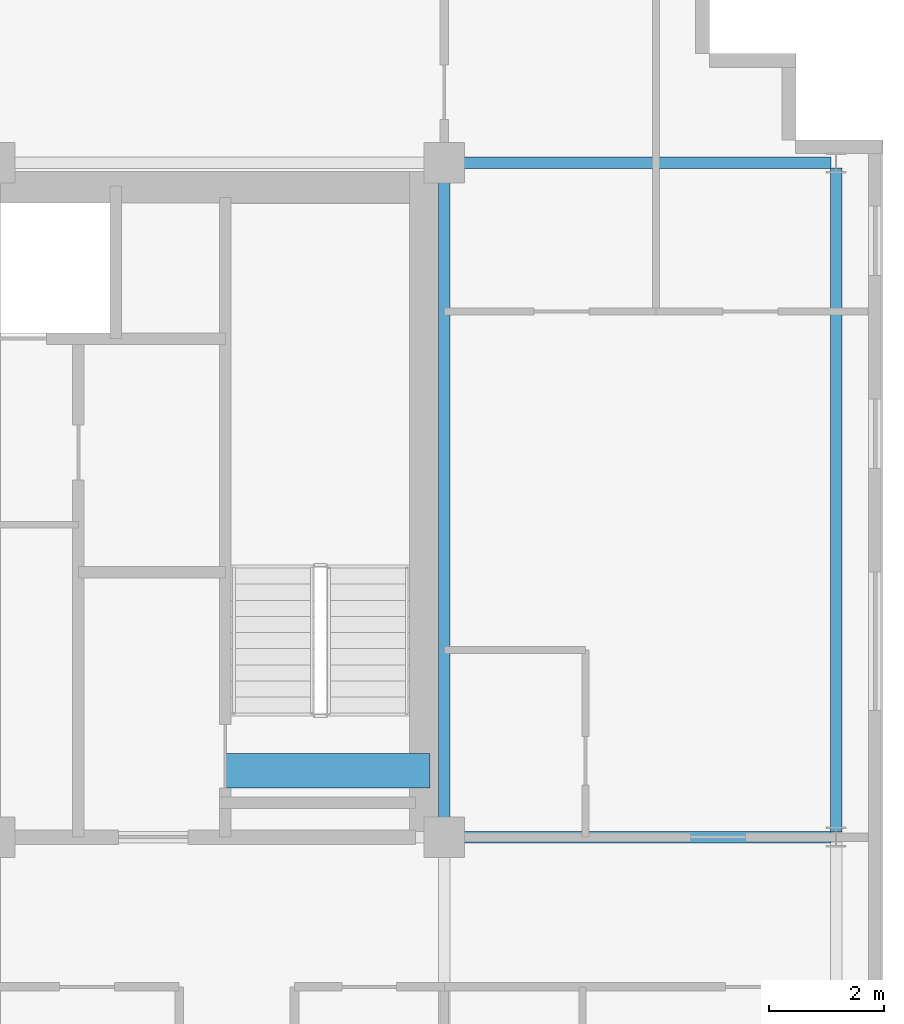
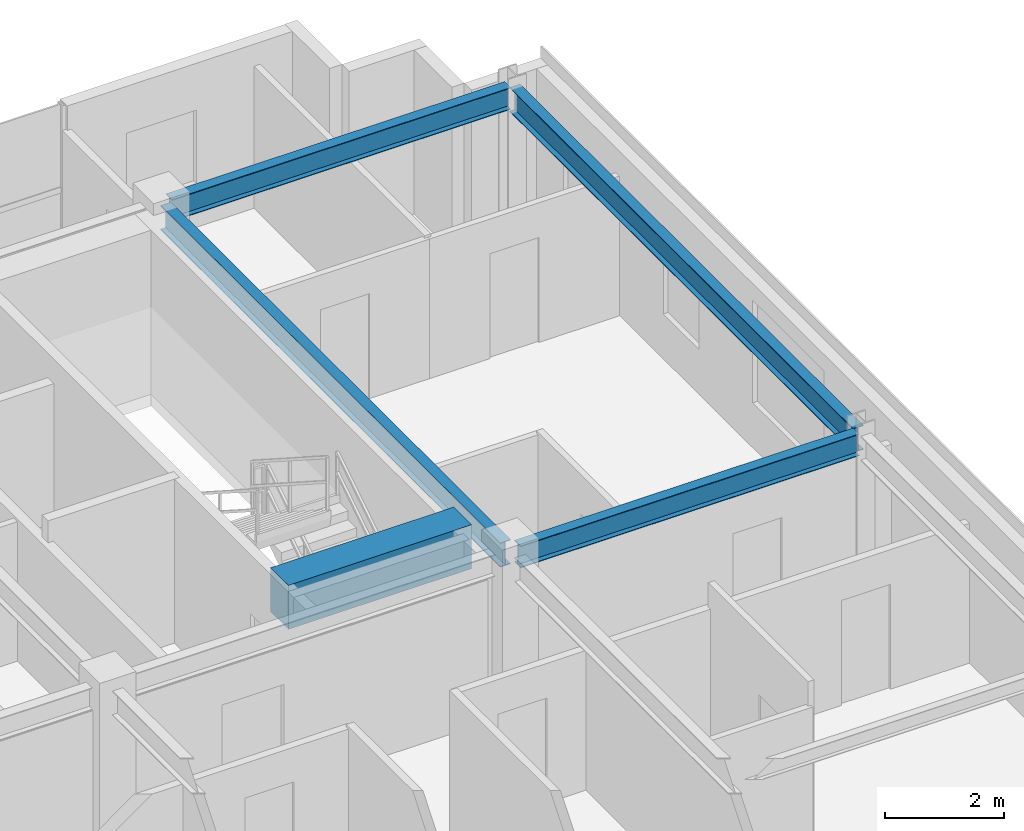
# One storey, part 13 of 23: 5 beams.
"""IFC4 building model written with IfcOpenShell, lengths in metres."""

from ifc_helpers import new_model, si_unit, direction, frame, origin, origin_2d, place, context, subcontext, project, spatial, rectangle, i_section, extrude, source, transform, mapped, material, material_profile, profile_set, type_object, element, save


model = new_model("IFC4")

# Units and contexts
model_context = context("Model", 3, precision=1e-05, world=origin(), true_north=direction((0.0, 1.0)))
body_context = subcontext(model_context, "Body", "Model", "MODEL_VIEW")
ifc_project = project(units=[si_unit("LENGTHUNIT", "METRE"), si_unit("AREAUNIT", "SQUARE_METRE"), si_unit("VOLUMEUNIT", "CUBIC_METRE"), si_unit("PLANEANGLEUNIT", "RADIAN"), si_unit("MASSUNIT", "GRAM", prefix="KILO")], contexts=[model_context])

# Site, building, storey
site_placement = place(None, origin())
site = spatial("IfcSite", under=ifc_project, at=site_placement, CompositionType="ELEMENT")
building_placement = place(site_placement, origin())
building = spatial("IfcBuilding", under=site, at=building_placement, Name="Trelvane Seafront Commons", CompositionType="ELEMENT")
storey_placement = place(building_placement, frame((0.0, 0.0, 212.10009765625)))
storey = spatial("IfcBuildingStorey", under=building, at=storey_placement, Name="L55", CompositionType="ELEMENT", Elevation=212.10009765625)

# Beams
ifc_material_1 = material(Name="Concrete C60/75", Category="concrete")
ifc_material_profile_1 = material_profile(ifc_material_1, rectangle(XDim=0.60009765625, YDim=0.89990234375, at=origin_2d()), Name="RC-600x900")
ifc_profile_set_1 = profile_set([ifc_material_profile_1], Name="Concrete C60/75")
beam_type_1 = type_object("IfcBeamType", Name="STR-LNT-RC600x900", PredefinedType="LINTEL", material=ifc_profile_set_1)
shared_shape_1 = source(origin(), body_context, "Body", "SweptSolid", [
    extrude(rectangle(XDim=0.60009765625, YDim=0.89990234375, at=origin_2d()), origin(), (0.0, 0.0, 1.0), 3.550048828125),
])
beam_1_placement = place(storey_placement, frame((55.0, 34.550048828125, 2.909912109375), z_axis=(1.0, 0.0, 0.0), x_axis=(0.0, 1.0, 0.0)))
element("IfcBeam", 1, at=beam_1_placement, inside=storey, type_object=beam_type_1, Name="L55 Core Coupling Lintel Beam CB-68", PredefinedType="LINTEL", context=body_context, shape_type="MappedRepresentation", body=[
    mapped(shared_shape_1, transform((0.0, 0.0, 0.0), x_axis=(1.0, 0.0, 0.0), y_axis=(0.0, 1.0, 0.0), z_axis=(0.0, 0.0, 1.0), scale=1.0)),
])
ifc_material_2 = material(Name="Steel SM355 (S355)", Category="steel")
ifc_material_profile_2 = material_profile(ifc_material_2, i_section(OverallWidth=0.199951171875, OverallDepth=0.5, WebThickness=0.010009765625, FlangeThickness=0.01611328125, at=origin_2d()), Name="H-500x200x10x16")
ifc_profile_set_2 = profile_set([ifc_material_profile_2], Name="Steel SM355 (S355)")
beam_type_2 = type_object("IfcBeamType", Name="STR-BM-H500", PredefinedType="BEAM", material=ifc_profile_set_2)
shared_shape_2 = source(origin(), body_context, "Body", "SweptSolid", [
    extrude(i_section(OverallWidth=0.199951171875, OverallDepth=0.5, WebThickness=0.010009765625, FlangeThickness=0.01611328125, at=origin_2d()), origin(), (0.0, 0.0, 1.0), 11.39990234375),
])
beam_2_placement = place(storey_placement, frame((58.800048828125, 33.550048828125, 3.10986328125), z_axis=(0.0, 1.0, 0.0), x_axis=(-1.0, 0.0, 0.0)))
element("IfcBeam", 2, at=beam_2_placement, inside=storey, type_object=beam_type_2, Name="L55 Primary Girder G-49", PredefinedType="BEAM", context=body_context, shape_type="MappedRepresentation", body=[
    mapped(shared_shape_2, transform((0.0, 0.0, 0.0), x_axis=(1.0, 0.0, 0.0), y_axis=(0.0, 1.0, 0.0), z_axis=(0.0, 0.0, 1.0), scale=1.0)),
])
ifc_material_profile_3 = material_profile(ifc_material_2, i_section(OverallWidth=0.199951171875, OverallDepth=0.449951171875, WebThickness=0.009033203125, FlangeThickness=0.013916015625, at=origin_2d()), Name="H-450x200x9x14")
ifc_profile_set_3 = profile_set([ifc_material_profile_3], Name="Steel SM355 (S355)")
beam_type_3 = type_object("IfcBeamType", Name="STR-SPD-H450", PredefinedType="SPANDREL", material=ifc_profile_set_3)
shared_shape_3 = source(origin(), body_context, "Body", "SweptSolid", [
    extrude(i_section(OverallWidth=0.199951171875, OverallDepth=0.449951171875, WebThickness=0.009033203125, FlangeThickness=0.013916015625, at=origin_2d()), origin(), (0.0, 0.0, 1.0), 6.5625),
])
for number, where, z_axis, x_axis, name in (
    (3, (58.949951171875, 33.39990234375, 3.135009765625), (1.0, 0.0, 0.0), (0.0, 1.0, 0.0), "L55 Primary Girder G-21"),
    (4, (58.949951171875, 45.10009765625, 3.135009765625), (1.0, 0.0, 0.0), (0.0, 1.0, 0.0), "L55 Primary Girder G-28"),
):
    element("IfcBeam", number, at=place(storey_placement, frame(where, z_axis=z_axis, x_axis=x_axis)), inside=storey, type_object=beam_type_3, Name=name, PredefinedType="SPANDREL", context=body_context, shape_type="MappedRepresentation", body=[
        mapped(shared_shape_3, transform((0.0, 0.0, 0.0), x_axis=(1.0, 0.0, 0.0), y_axis=(0.0, 1.0, 0.0), z_axis=(0.0, 0.0, 1.0), scale=1.0)),
    ])
shared_shape_4 = source(origin(), body_context, "Body", "SweptSolid", [
    extrude(i_section(OverallWidth=0.199951171875, OverallDepth=0.5, WebThickness=0.010009765625, FlangeThickness=0.01611328125, at=origin_2d()), origin(), (0.0, 0.0, 1.0), 11.52490234375),
])
beam_3_placement = place(storey_placement, frame((65.60009765625, 33.487548828125, 3.10986328125), z_axis=(0.0, 1.0, 0.0), x_axis=(-1.0, 0.0, 0.0)))
element("IfcBeam", 5, at=beam_3_placement, inside=storey, type_object=beam_type_2, Name="L55 Primary Girder G-52", PredefinedType="BEAM", context=body_context, shape_type="MappedRepresentation", body=[
    mapped(shared_shape_4, transform((0.0, 0.0, 0.0), x_axis=(1.0, 0.0, 0.0), y_axis=(0.0, 1.0, 0.0), z_axis=(0.0, 0.0, 1.0), scale=1.0)),
])

save(model, "model.ifc")
